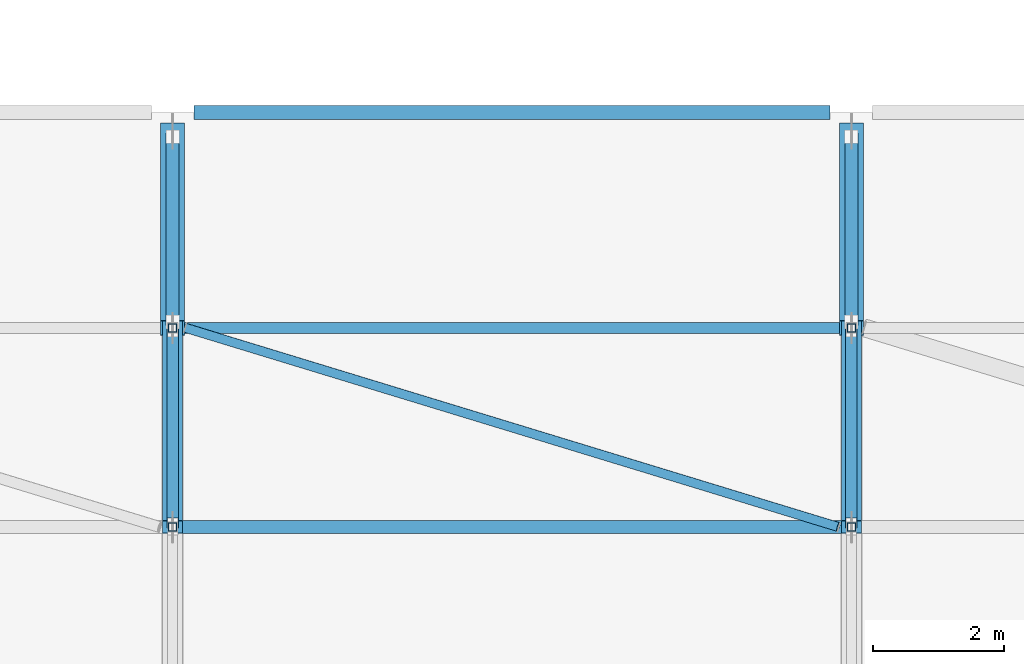
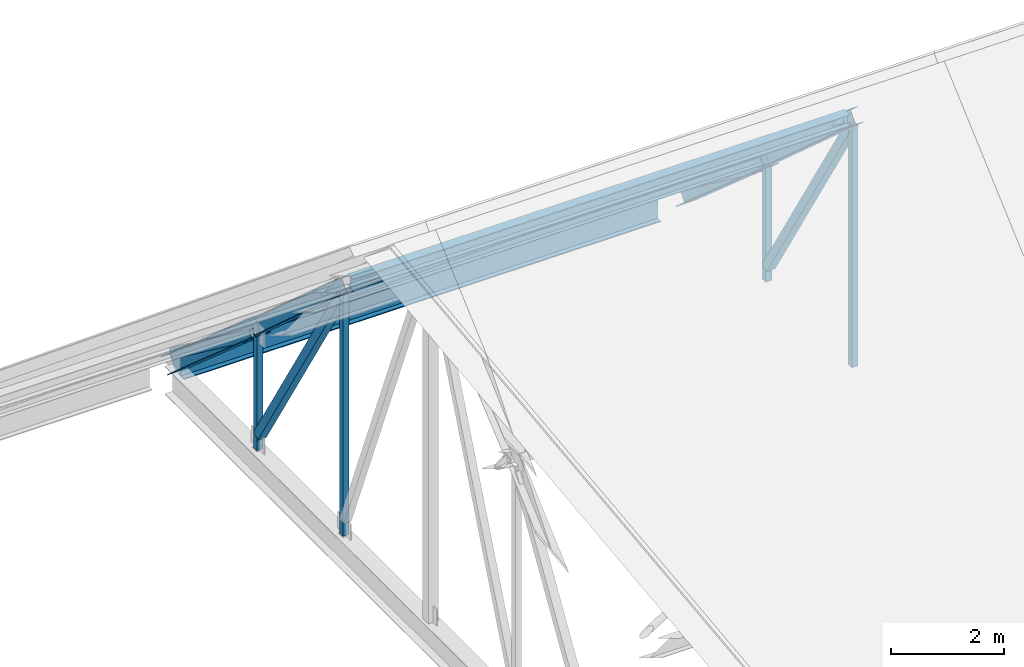
# One storey, part 26 of 86: 13 members, 3 beams.
"""IFC4 building model written with IfcOpenShell, lengths in metres."""

from ifc_helpers import new_model, si_unit, derived_unit, direction, frame, origin, origin_2d, place, context, subcontext, project, spatial, hollow_rectangle, hollow_circle, i_section, extrude, material, material_profile, profile_set, type_object, element, save


model = new_model("IFC4")

# Units and contexts
model_context = context("Model", 3, precision=1e-05, world=origin(), true_north=direction((0.0, 1.0)))
body_context = subcontext(model_context, "Body", "Model", "MODEL_VIEW")
ifc_project = project(units=[si_unit("LENGTHUNIT", "METRE"), si_unit("AREAUNIT", "SQUARE_METRE"), si_unit("VOLUMEUNIT", "CUBIC_METRE"), si_unit("PLANEANGLEUNIT", "RADIAN"), si_unit("MASSUNIT", "GRAM", prefix="KILO"), derived_unit("THERMALTRANSMITTANCEUNIT", [(si_unit("POWERUNIT", "WATT"), 1), (si_unit("LENGTHUNIT", "METRE"), -2), (si_unit("THERMODYNAMICTEMPERATUREUNIT", "KELVIN"), -1)])], contexts=[model_context])

# Site, building, storey
site_placement = place(None, origin())
site = spatial("IfcSite", under=ifc_project, at=site_placement, CompositionType="ELEMENT")
building_placement = place(site_placement, origin())
building = spatial("IfcBuilding", under=site, at=building_placement, Name="Braskholm Square Health Centre", CompositionType="ELEMENT")
storey_placement = place(building_placement, frame((0.0, 0.0, 13.5)))
storey = spatial("IfcBuildingStorey", under=building, at=storey_placement, Name="L04", CompositionType="ELEMENT", Elevation=13.5)

# Beams
ifc_material_1 = material(Name="Steel ASTM A992 Grade 50", Category="steel")
ifc_material_profile_1 = material_profile(ifc_material_1, i_section(OverallWidth=0.201904296875, OverallDepth=0.2470703125, WebThickness=0.00732421875, FlangeThickness=0.010986328125, at=origin_2d()), Name="W10X33")
ifc_profile_set_1 = profile_set([ifc_material_profile_1], Name="Steel ASTM A992 Grade 50")
beam_type_1 = type_object("IfcBeamType", Name="RoofPurlinJoistW10X33", PredefinedType="JOIST", material=ifc_profile_set_1)
beam_1_placement = place(storey_placement, frame((68.52001953125, 100.64990234375, 5.12109375), z_axis=(1.0, 0.0, 0.0), x_axis=(0.0, 1.0, 0.0)))
element("IfcBeam", 1, at=beam_1_placement, inside=storey, type_object=beam_type_1, Name="ROOF TRUSS purlin joist 014", PredefinedType="JOIST", context=body_context, shape_type="SweptSolid", body=[
    extrude(i_section(OverallWidth=0.201904296875, OverallDepth=0.2470703125, WebThickness=0.00732421875, FlangeThickness=0.010986328125, at=origin_2d()), origin(), (0.0, 0.0, 1.0), 10.159912109375),
])
ifc_material_profile_2 = material_profile(ifc_material_1, i_section(OverallWidth=0.1650390625, OverallDepth=0.200927734375, WebThickness=0.006103515625, FlangeThickness=0.01025390625, at=origin_2d()), Name="W8X24")
ifc_profile_set_2 = profile_set([ifc_material_profile_2], Name="Steel ASTM A992 Grade 50")
beam_type_2 = type_object("IfcBeamType", Name="RoofPurlinJoistW8X24", PredefinedType="JOIST", material=ifc_profile_set_2)
beam_2_placement = place(storey_placement, frame((68.52001953125, 103.699951171875, 2.402099609375), z_axis=(1.0, 0.0, 0.0), x_axis=(0.0, 1.0, 0.0)))
element("IfcBeam", 2, at=beam_2_placement, inside=storey, type_object=beam_type_2, Name="ROOF TRUSS purlin joist 015", PredefinedType="JOIST", context=body_context, shape_type="SweptSolid", body=[
    extrude(i_section(OverallWidth=0.1650390625, OverallDepth=0.200927734375, WebThickness=0.006103515625, FlangeThickness=0.01025390625, at=origin_2d()), origin(), (0.0, 0.0, 1.0), 10.159912109375),
])

# Member
ifc_material_2 = material(Name="Steel ASTM A500 Grade C", Category="steel")
ifc_material_profile_3 = material_profile(ifc_material_2, hollow_circle(Radius=0.070556640625, WallThickness=0.006103515625, at=origin_2d()), Name="HSS5.563X0.258")
ifc_profile_set_3 = profile_set([ifc_material_profile_3], Name="Steel ASTM A500 Grade C")
member_type_1 = type_object("IfcMemberType", Name="RoofSwayBraceCHS141", PredefinedType="BRACE", material=ifc_profile_set_3)
member_1_placement = place(storey_placement, frame((68.60009765625, 103.699951171875, 2.402099609375), z_axis=(0.925704815743, -0.282344488845, 0.251698596995), x_axis=(0.291736758099, 0.956498648182, 0.0)))
element("IfcMember", 3, at=member_1_placement, inside=storey, type_object=member_type_1, Name="ROOF TRUSS slope brace North Bay 3", PredefinedType="BRACE", context=body_context, shape_type="SweptSolid", body=[
    extrude(hollow_circle(Radius=0.070556640625, WallThickness=0.006103515625, at=origin_2d()), origin(), (0.0, 0.0, 1.0), 10.802490234375),
])

# Beam
ifc_material_profile_4 = material_profile(ifc_material_1, i_section(OverallWidth=0.2119140625, OverallDepth=0.5439453125, WebThickness=0.01318359375, FlangeThickness=0.021240234375, at=origin_2d()), Name="W21X83")
ifc_profile_set_4 = profile_set([ifc_material_profile_4], Name="Steel ASTM A992 Grade 50")
beam_type_3 = type_object("IfcBeamType", Name="SteelGirderEaveW21X83", PredefinedType="BEAM", material=ifc_profile_set_4)
beam_3_placement = place(storey_placement, frame((68.72509765625, 107.0, -0.572021484375), z_axis=(1.0, 0.0, 0.0), x_axis=(0.0, 1.0, 0.0)))
element("IfcBeam", 4, at=beam_3_placement, inside=storey, type_object=beam_type_3, Name="Beam 10-11/R L04", PredefinedType="BEAM", context=body_context, shape_type="SweptSolid", body=[
    extrude(i_section(OverallWidth=0.2119140625, OverallDepth=0.5439453125, WebThickness=0.01318359375, FlangeThickness=0.021240234375, at=origin_2d()), origin(), (0.0, 0.0, 1.0), 9.75),
])

# Members
ifc_material_profile_5 = material_profile(ifc_material_1, i_section(OverallWidth=0.304931640625, OverallDepth=0.306884765625, WebThickness=0.010009765625, FlangeThickness=0.015380859375, at=origin_2d()), Name="W12X65")
ifc_profile_set_5 = profile_set([ifc_material_profile_5], Name="Steel ASTM A992 Grade 50")
member_type_2 = type_object("IfcMemberType", Name="TrussHipChordW12X65", PredefinedType="CHORD", material=ifc_profile_set_5)
for number, where, z_axis, x_axis, name in (
    (5, (68.39990234375, 100.64990234375, 5.101318359375), (0.0, 0.746426169494, -0.665468236278), (-1.0, 0.0, 0.0), "ROOF TRUSS top chord TR-03-5"),
    (6, (78.800048828125, 100.64990234375, 5.101318359375), (0.0, 0.746426169494, -0.665468236278), (-1.0, 0.0, 0.0), "ROOF TRUSS top chord TR-04-5"),
):
    element("IfcMember", number, at=place(storey_placement, frame(where, z_axis=z_axis, x_axis=x_axis)), inside=storey, type_object=member_type_2, Name=name, PredefinedType="CHORD", context=body_context, shape_type="SweptSolid", body=[
        extrude(i_section(OverallWidth=0.304931640625, OverallDepth=0.306884765625, WebThickness=0.010009765625, FlangeThickness=0.015380859375, at=origin_2d()), origin(), (0.0, 0.0, 1.0), 4.086181640625),
    ])
ifc_material_profile_6 = material_profile(ifc_material_2, hollow_rectangle(XDim=0.177734375, YDim=0.177734375, WallThickness=0.0087890625, at=origin_2d()), Name="HSS7X7X3/8")
ifc_profile_set_6 = profile_set([ifc_material_profile_6], Name="Steel ASTM A500 Grade C")
member_type_3 = type_object("IfcMemberType", Name="TrussInnerDiagHSS7X7", PredefinedType="BRACE", material=ifc_profile_set_6)
for number, where, z_axis, x_axis, name in (
    (7, (68.39990234375, 103.636962890625, 0.06201171875), (0.0, -0.522065213128, 0.852905571117), (1.0, 0.0, 0.0), "ROOF TRUSS diagonal web TR-03-D5"),
    (8, (78.800048828125, 103.636962890625, 0.06201171875), (0.0, -0.522065213128, 0.852905571117), (1.0, 0.0, 0.0), "ROOF TRUSS diagonal web TR-04-D5"),
):
    element("IfcMember", number, at=place(storey_placement, frame(where, z_axis=z_axis, x_axis=x_axis)), inside=storey, type_object=member_type_3, Name=name, PredefinedType="BRACE", context=body_context, shape_type="SweptSolid", body=[
        extrude(hollow_rectangle(XDim=0.177734375, YDim=0.177734375, WallThickness=0.0087890625, at=origin_2d()), origin(), (0.0, 0.0, 1.0), 5.60107421875),
    ])
ifc_material_profile_7 = material_profile(ifc_material_2, hollow_rectangle(XDim=0.203125, YDim=0.203125, WallThickness=0.01171875, at=origin_2d()), Name="HSS8X8X1/2")
ifc_profile_set_7 = profile_set([ifc_material_profile_7], Name="Steel ASTM A500 Grade C")
member_type_4 = type_object("IfcMemberType", Name="TrussOuterDiagHSS8X8X12", PredefinedType="BRACE", material=ifc_profile_set_7)
for number, where, z_axis, x_axis, name in (
    (9, (68.39990234375, 106.6240234375, 0.031982421875), (0.0, -0.800430964811, 0.599424949908), (1.0, 0.0, 0.0), "ROOF TRUSS diagonal web TR-03-D6"),
    (10, (78.800048828125, 106.6240234375, 0.031982421875), (0.0, -0.800430964811, 0.599424949908), (1.0, 0.0, 0.0), "ROOF TRUSS diagonal web TR-04-D6"),
):
    element("IfcMember", number, at=place(storey_placement, frame(where, z_axis=z_axis, x_axis=x_axis)), inside=storey, type_object=member_type_4, Name=name, PredefinedType="BRACE", context=body_context, shape_type="SweptSolid", body=[
        extrude(hollow_rectangle(XDim=0.203125, YDim=0.203125, WallThickness=0.01171875, at=origin_2d()), origin(), (0.0, 0.0, 1.0), 3.533203125),
    ])
ifc_material_profile_8 = material_profile(ifc_material_1, i_section(OverallWidth=0.368896484375, OverallDepth=0.35595703125, WebThickness=0.01123046875, FlangeThickness=0.01806640625, at=origin_2d()), Name="W14X90")
ifc_profile_set_8 = profile_set([ifc_material_profile_8], Name="Steel ASTM A992 Grade 50")
member_type_5 = type_object("IfcMemberType", Name="TrussTopChordW14X90", PredefinedType="CHORD", material=ifc_profile_set_8)
for number, where, z_axis, x_axis, name in (
    (11, (68.39990234375, 103.699951171875, 2.382080078125), (0.0, 0.752629458895, -0.658444301064), (-1.0, 0.0, 0.0), "ROOF TRUSS top chord TR-03-6"),
    (12, (78.800048828125, 103.699951171875, 2.382080078125), (0.0, 0.752629458895, -0.658444301064), (-1.0, 0.0, 0.0), "ROOF TRUSS top chord TR-04-6"),
):
    element("IfcMember", number, at=place(storey_placement, frame(where, z_axis=z_axis, x_axis=x_axis)), inside=storey, type_object=member_type_5, Name=name, PredefinedType="CHORD", context=body_context, shape_type="SweptSolid", body=[
        extrude(i_section(OverallWidth=0.368896484375, OverallDepth=0.35595703125, WebThickness=0.01123046875, FlangeThickness=0.01806640625, at=origin_2d()), origin(), (0.0, 0.0, 1.0), 4.0126953125),
    ])
ifc_material_profile_9 = material_profile(ifc_material_2, hollow_rectangle(XDim=0.126953125, YDim=0.126953125, WallThickness=0.00732421875, at=origin_2d()), Name="HSS5X5X5/16")
ifc_profile_set_9 = profile_set([ifc_material_profile_9], Name="Steel ASTM A500 Grade C")
member_type_6 = type_object("IfcMemberType", Name="TrussVerticalStrutHSS5X5", PredefinedType="STRUT", material=ifc_profile_set_9)
member_2_placement = place(storey_placement, frame((68.39990234375, 100.64990234375, -0.27001953125), z_axis=(0.0, 0.0, 1.0), x_axis=(1.0, 0.0, 0.0)))
element("IfcMember", 13, at=member_2_placement, inside=storey, type_object=member_type_6, Name="ROOF TRUSS vertical strut TR-03-V4", PredefinedType="STRUT", context=body_context, shape_type="SweptSolid", body=[
    extrude(hollow_rectangle(XDim=0.126953125, YDim=0.126953125, WallThickness=0.00732421875, at=origin_2d()), origin(), (0.0, 0.0, 1.0), 5.21142578125),
])
member_3_placement = place(storey_placement, frame((68.39990234375, 103.699951171875, -0.27001953125), z_axis=(0.0, 0.0, 1.0), x_axis=(1.0, 0.0, 0.0)))
element("IfcMember", 14, at=member_3_placement, inside=storey, type_object=member_type_6, Name="ROOF TRUSS vertical strut TR-03-V5", PredefinedType="STRUT", context=body_context, shape_type="SweptSolid", body=[
    extrude(hollow_rectangle(XDim=0.126953125, YDim=0.126953125, WallThickness=0.00732421875, at=origin_2d()), origin(), (0.0, 0.0, 1.0), 2.4921875),
])
member_4_placement = place(storey_placement, frame((78.800048828125, 100.64990234375, -0.27001953125), z_axis=(0.0, 0.0, 1.0), x_axis=(1.0, 0.0, 0.0)))
element("IfcMember", 15, at=member_4_placement, inside=storey, type_object=member_type_6, Name="ROOF TRUSS vertical strut TR-04-V4", PredefinedType="STRUT", context=body_context, shape_type="SweptSolid", body=[
    extrude(hollow_rectangle(XDim=0.126953125, YDim=0.126953125, WallThickness=0.00732421875, at=origin_2d()), origin(), (0.0, 0.0, 1.0), 5.21142578125),
])
member_5_placement = place(storey_placement, frame((78.800048828125, 103.699951171875, -0.27001953125), z_axis=(0.0, 0.0, 1.0), x_axis=(1.0, 0.0, 0.0)))
element("IfcMember", 16, at=member_5_placement, inside=storey, type_object=member_type_6, Name="ROOF TRUSS vertical strut TR-04-V5", PredefinedType="STRUT", context=body_context, shape_type="SweptSolid", body=[
    extrude(hollow_rectangle(XDim=0.126953125, YDim=0.126953125, WallThickness=0.00732421875, at=origin_2d()), origin(), (0.0, 0.0, 1.0), 2.4921875),
])

save(model, "model.ifc")
